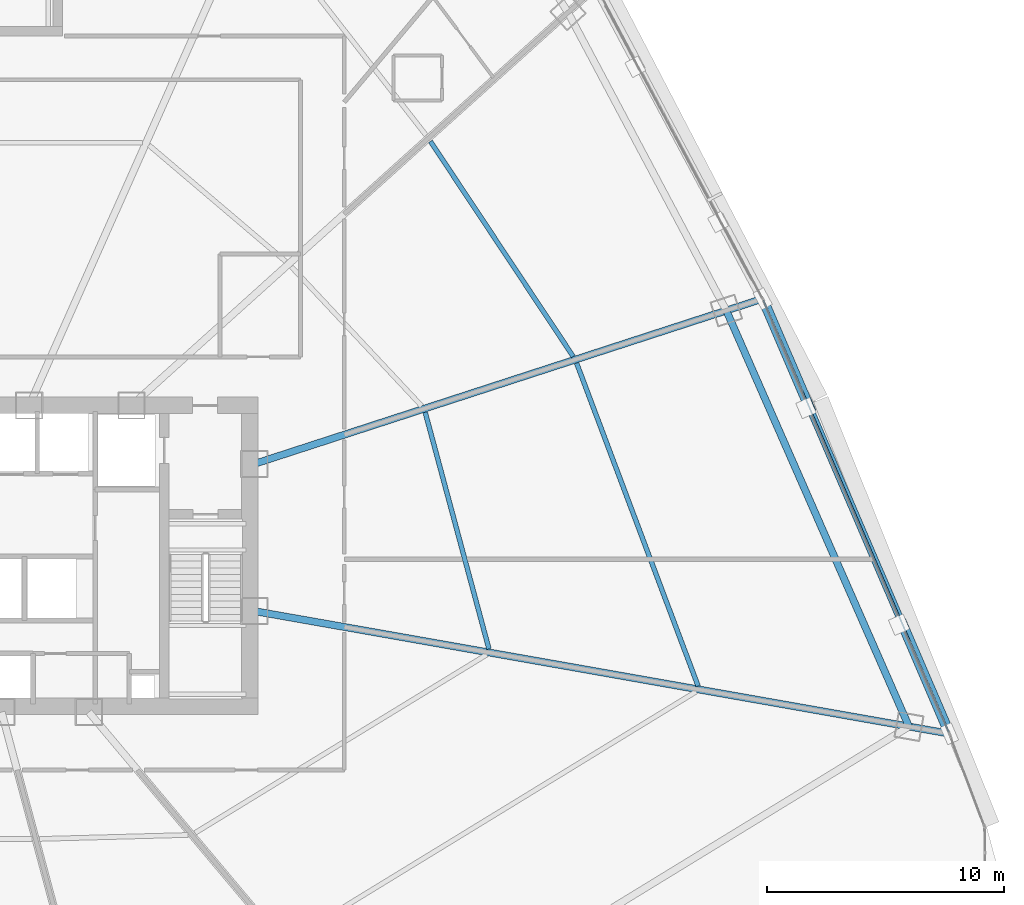
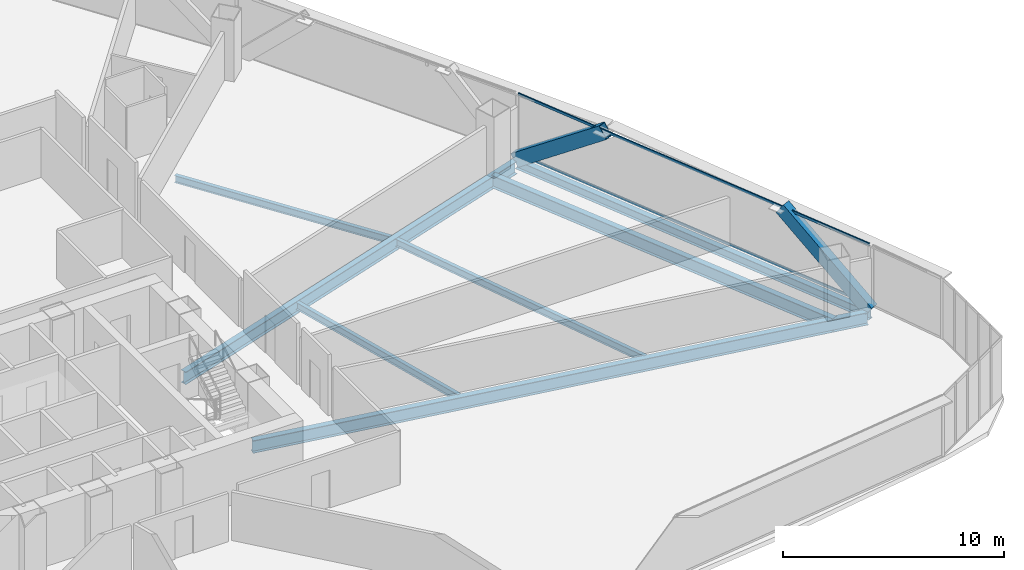
# One storey, part 24 of 42: 7 beams, 4 members, 1 element without a shape of its own.
"""IFC4 building model written with IfcOpenShell, lengths in metres."""

import ifcopenshell
import ifcopenshell.guid

model = None  # the IFC model being written
_history = None  # IfcOwnerHistory: only IFC2X3 demands one
_inside = {}  # id of a spatial element -> (the spatial element, [elements in it])
_under = {}  # id of a project, library or spatial element -> (it, [spatial elements below it])
_declared = {}  # id of a project -> (the project, [libraries it declares])
_typed = {}  # id of a type object -> (the type object, [elements of that type])
_made_of = {}  # id of a material, layer set ... -> (it, [elements and type objects made of it])


def new_model(schema):
    """Start an empty IFC model of exactly this schema.

    Asked for "IFC4X3", IfcOpenShell would pick the latest addendum, in which some entities
    have other attributes; the version numbers below select the first issue.
    IFC2X3 requires an IfcOwnerHistory on every rooted entity: one is made here for all.
    """
    global model, _history
    if schema == "IFC4X3":
        model = ifcopenshell.file(schema_version=(4, 3, 0, 0))
    else:
        model = ifcopenshell.file(schema=schema)
    _inside.clear()
    _under.clear()
    _declared.clear()
    _typed.clear()
    _made_of.clear()
    _history = None
    if model.schema == "IFC2X3":
        org = make("IfcOrganization", Name="unknown")
        user = make(
            "IfcPersonAndOrganization",
            ThePerson=make("IfcPerson", FamilyName="unknown"),
            TheOrganization=org,
        )
        app = make(
            "IfcApplication",
            ApplicationDeveloper=org,
            Version="unknown",
            ApplicationFullName="unknown",
            ApplicationIdentifier="unknown",
        )
        _history = make(
            "IfcOwnerHistory",
            OwningUser=user,
            OwningApplication=app,
            ChangeAction="ADDED",
            CreationDate=0,
        )
    return model


def make(cls, **values):
    """One entity of the class cls with the attributes given. An attribute that is None is left unset."""
    return model.create_entity(
        cls, **{name: value for name, value in values.items() if value is not None}
    )


def rooted(cls, **values):
    """An entity with a GlobalId (a new one), such as an element, a storey or a relation."""
    return make(cls, GlobalId=ifcopenshell.guid.new(), OwnerHistory=_history, **values)


def si_unit(unit_type, name, prefix=None):
    """IfcSIUnit, for example si_unit("LENGTHUNIT", "METRE", prefix="MILLI")."""
    return make("IfcSIUnit", UnitType=unit_type, Prefix=prefix, Name=name)


def assignment(units):
    """IfcUnitAssignment: the units of a project."""
    return None if units is None else make("IfcUnitAssignment", Units=units)


def point(xyz):
    """IfcCartesianPoint."""
    return None if xyz is None else make("IfcCartesianPoint", Coordinates=xyz)


def direction(xyz):
    """IfcDirection."""
    return None if xyz is None else make("IfcDirection", DirectionRatios=xyz)


def frame(location, z_axis=None, x_axis=None):
    """IfcAxis2Placement3D, a coordinate frame: its origin and axes. An axis left out is left unset."""
    return make(
        "IfcAxis2Placement3D",
        Location=point(location),
        Axis=direction(z_axis),
        RefDirection=direction(x_axis),
    )


def frame_2d(location, x_axis=None):
    """IfcAxis2Placement2D, a coordinate frame in the plane: its origin and x axis."""
    return make(
        "IfcAxis2Placement2D", Location=point(location), RefDirection=direction(x_axis)
    )


def origin():
    """The frame at (0, 0, 0) with its axes left unset."""
    return frame((0.0, 0.0, 0.0))


def origin_2d():
    """The frame at (0, 0) in the plane with its x axis left unset."""
    return frame_2d((0.0, 0.0))


def place(relative_to, where):
    """IfcLocalPlacement: puts the frame where relative to a parent placement (None: the world)."""
    return make(
        "IfcLocalPlacement", PlacementRelTo=relative_to, RelativePlacement=where
    )


def context(
    kind, dimensions, precision=None, world=None, true_north=None, identifier=None
):
    """IfcGeometricRepresentationContext, for example the 3D "Model" context."""
    return make(
        "IfcGeometricRepresentationContext",
        ContextIdentifier=identifier,
        ContextType=kind,
        CoordinateSpaceDimension=dimensions,
        Precision=precision,
        WorldCoordinateSystem=world,
        TrueNorth=true_north,
    )


def subcontext(parent, identifier, kind, view, scale=None):
    """IfcGeometricRepresentationSubContext, for example "Body" below "Model"."""
    return make(
        "IfcGeometricRepresentationSubContext",
        ContextIdentifier=identifier,
        ContextType=kind,
        ParentContext=parent,
        TargetScale=scale,
        TargetView=view,
    )


def project(units=None, contexts=None):
    """IfcProject with its units and contexts."""
    return rooted(
        "IfcProject",
        Name="project",
        RepresentationContexts=contexts,
        UnitsInContext=assignment(units),
    )


def spatial(cls, under=None, at=None, **own):
    """A site, building, storey or space (cls), placed at a placement, below another one or the project."""
    s = rooted(cls, ObjectPlacement=at, **own)
    if under is not None:
        _under.setdefault(under.id(), (under, []))[1].append(s)
    return s


def profile(cls, at=None, kind="AREA", **sizes):
    """A parametric profile (cls). Its sizes go by their IFC names, for example OverallWidth=200.0."""
    return make(cls, ProfileType=kind, Position=at, **sizes)


def hollow_rectangle(**sizes):
    """IfcRectangleHollowProfileDef."""
    return profile("IfcRectangleHollowProfileDef", **sizes)


def i_section(**sizes):
    """IfcIShapeProfileDef."""
    return profile("IfcIShapeProfileDef", **sizes)


def extrude(swept, where, along, depth):
    """IfcExtrudedAreaSolid: the profile swept, set in the frame where, extruded along a direction by depth."""
    return make(
        "IfcExtrudedAreaSolid",
        SweptArea=swept,
        Position=where,
        ExtrudedDirection=direction(along),
        Depth=depth,
    )


def shape(context_of_items, identifier, shape_type, items):
    """IfcShapeRepresentation: the items that make up one representation, for example the "Body"."""
    return make(
        "IfcShapeRepresentation",
        ContextOfItems=context_of_items,
        RepresentationIdentifier=identifier,
        RepresentationType=shape_type,
        Items=items,
    )


def source(mapping_origin, context_of_items, identifier, shape_type, items):
    """IfcRepresentationMap: a shape defined once, which mapped items show again and again."""
    return make(
        "IfcRepresentationMap",
        MappingOrigin=mapping_origin,
        MappedRepresentation=shape(context_of_items, identifier, shape_type, items),
    )


def transform(
    local_origin,
    x_axis=None,
    y_axis=None,
    z_axis=None,
    scale=None,
    scale2=None,
    scale3=None,
    uniform=True,
):
    """IfcCartesianTransformationOperator3D, or its non-uniform kind. x_axis, y_axis, z_axis: its Axis1, 2, 3."""
    if uniform:
        return make(
            "IfcCartesianTransformationOperator3D",
            Axis1=direction(x_axis),
            Axis2=direction(y_axis),
            LocalOrigin=point(local_origin),
            Scale=scale,
            Axis3=direction(z_axis),
        )
    return make(
        "IfcCartesianTransformationOperator3DnonUniform",
        Axis1=direction(x_axis),
        Axis2=direction(y_axis),
        LocalOrigin=point(local_origin),
        Scale=scale,
        Axis3=direction(z_axis),
        Scale2=scale2,
        Scale3=scale3,
    )


def mapped(mapping_source, mapping_target):
    """IfcMappedItem: shows the shape of a source again, moved by a transform."""
    return make(
        "IfcMappedItem", MappingSource=mapping_source, MappingTarget=mapping_target
    )


def material(Name=None, Category=None):
    """IfcMaterial."""
    return make("IfcMaterial", Name=Name, Category=Category)


def layer(
    of_material, thickness, ventilated=None, Name=None, Category=None, Priority=None
):
    """IfcMaterialLayer: one layer of a wall or slab, of a material (None: an air gap)."""
    return make(
        "IfcMaterialLayer",
        Material=of_material,
        LayerThickness=thickness,
        IsVentilated=ventilated,
        Name=Name,
        Category=Category,
        Priority=Priority,
    )


def layer_set(layers, Name=None):
    """IfcMaterialLayerSet."""
    return make("IfcMaterialLayerSet", MaterialLayers=layers, LayerSetName=Name)


def material_profile(
    of_material, cross_section, Name=None, Category=None, Priority=None
):
    """IfcMaterialProfile: a cross section and its material."""
    return make(
        "IfcMaterialProfile",
        Name=Name,
        Material=of_material,
        Profile=cross_section,
        Priority=Priority,
        Category=Category,
    )


def profile_set(profiles, Name=None, composite=None):
    """IfcMaterialProfileSet."""
    return make(
        "IfcMaterialProfileSet",
        Name=Name,
        MaterialProfiles=profiles,
        CompositeProfile=composite,
    )


def made_of(thing, what):
    """Note that an element or type object is made of a material, layer set ...; save() writes the relation."""
    if what is not None:
        _made_of.setdefault(what.id(), (what, []))[1].append(thing)
    return thing


def type_object(cls, material=None, **own):
    """A type object (cls), such as IfcWallType, which elements share."""
    return made_of(rooted(cls, **own), material)


def element(
    cls,
    number,
    at=None,
    inside=None,
    cuts=None,
    type_object=None,
    material=None,
    context=None,
    identifier="Body",
    shape_type=None,
    held_by="IfcProductDefinitionShape",
    body=None,
    shapes=None,
    **own,
):
    """One element of the class cls, such as IfcWall. Its Tag is "e" and its number.

    at: its placement. inside: the storey or other place that contains it. cuts: it is an
    opening in that element (IfcRelVoidsElement). A single representation is given by context,
    identifier, shape_type and body (its items); several are given by shapes. held_by: the class
    of the entity that holds the representations. save() writes the other relations.
    """
    e = rooted(cls, Tag="e%d" % number, ObjectPlacement=at, **own)
    if body is not None:
        shapes = [shape(context, identifier, shape_type, body)]
    if shapes is not None:
        e.Representation = make(held_by, Representations=shapes)
    if inside is not None:
        _inside.setdefault(inside.id(), (inside, []))[1].append(e)
    if cuts is not None:
        rooted(
            "IfcRelVoidsElement", RelatingBuildingElement=cuts, RelatedOpeningElement=e
        )
    if type_object is not None:
        _typed.setdefault(type_object.id(), (type_object, []))[1].append(e)
    return made_of(e, material)


def aggregate(whole, parts):
    """IfcRelAggregates: a whole, such as a stair, and the parts it consists of."""
    return rooted("IfcRelAggregates", RelatingObject=whole, RelatedObjects=parts)


def save(model, path):
    """Write the relations noted so far, then the file.

    IfcRelAggregates (storeys below a building ...), IfcRelContainedInSpatialStructure (elements
    in a storey), IfcRelDefinesByType, IfcRelAssociatesMaterial and IfcRelDeclares: one each for
    every whole, place, type object, material and project.
    """
    for whole, parts in _under.values():
        aggregate(whole, parts)
    for where, things in _inside.values():
        rooted(
            "IfcRelContainedInSpatialStructure",
            RelatedElements=things,
            RelatingStructure=where,
        )
    for kind, things in _typed.values():
        rooted("IfcRelDefinesByType", RelatedObjects=things, RelatingType=kind)
    for what, things in _made_of.values():
        rooted("IfcRelAssociatesMaterial", RelatedObjects=things, RelatingMaterial=what)
    for by, libraries in _declared.values():
        rooted("IfcRelDeclares", RelatingContext=by, RelatedDefinitions=libraries)
    model.write(path)


model = new_model("IFC4")

# Units and contexts
model_context = context("Model", 3, precision=1e-05, world=origin(), true_north=direction((0.0, 1.0)))
body_context = subcontext(model_context, "Body", "Model", "MODEL_VIEW")
ifc_project = project(units=[si_unit("LENGTHUNIT", "METRE"), si_unit("AREAUNIT", "SQUARE_METRE"), si_unit("VOLUMEUNIT", "CUBIC_METRE"), si_unit("PLANEANGLEUNIT", "RADIAN"), si_unit("MASSUNIT", "GRAM", prefix="KILO"), si_unit("THERMODYNAMICTEMPERATUREUNIT", "KELVIN"), si_unit("POWERUNIT", "WATT")], contexts=[model_context])

# Site, building, storey
site_placement = place(None, origin())
site = spatial("IfcSite", under=ifc_project, at=site_placement, CompositionType="ELEMENT")
building_placement = place(site_placement, origin())
building = spatial("IfcBuilding", under=site, at=building_placement, Name="Yunzhuo Pagoda Commons", CompositionType="ELEMENT")
storey_placement = place(building_placement, frame((0.0, 0.0, 48.550048828125)))
storey = spatial("IfcBuildingStorey", under=building, at=storey_placement, Name="L12", CompositionType="ELEMENT", Elevation=48.550048828125)

# Beams
ifc_material_1 = material(Name="Structural steel Q355B", Category="steel")
ifc_material_profile_1 = material_profile(ifc_material_1, i_section(OverallWidth=0.300048828125, OverallDepth=0.699951171875, WebThickness=0.012939453125, FlangeThickness=0.02392578125, at=origin_2d()), Name="Structural steel Q355B")
ifc_profile_set_1 = profile_set([ifc_material_profile_1], Name="Structural steel Q355B")
beam_type_1 = type_object("IfcBeamType", Name="B-RG1 Beam HN 700x300x13x24", PredefinedType="BEAM", material=ifc_profile_set_1)
shared_shape_1 = source(origin(), body_context, "Body", "SweptSolid", [
    extrude(i_section(OverallWidth=0.300048828125, OverallDepth=0.699951171875, WebThickness=0.012939453125, FlangeThickness=0.02392578125, at=origin_2d()), origin(), (0.0, 0.0, 1.0), 19.18603515625),
])
beam_1_placement = place(storey_placement, frame((88.047607421875, 26.638427734375, -0.610107421875), z_axis=(-0.40196534204, 0.915654882474, 0.0), x_axis=(-0.915654882474, -0.40196534204, 0.0)))
element("IfcBeam", 1, at=beam_1_placement, inside=storey, type_object=beam_type_1, Name="L12 column-ring beam 5", PredefinedType="BEAM", context=body_context, shape_type="MappedRepresentation", body=[
    mapped(shared_shape_1, transform((0.0, 0.0, 0.0), scale=1.0)),
])
ifc_material_profile_2 = material_profile(ifc_material_1, i_section(OverallWidth=0.199951171875, OverallDepth=0.39990234375, WebThickness=0.008056640625, FlangeThickness=0.012939453125, at=origin_2d()), Name="Structural steel Q355B")
ifc_profile_set_2 = profile_set([ifc_material_profile_2], Name="Structural steel Q355B")
beam_type_2 = type_object("IfcBeamType", Name="B-JS1 Joist HN 400x200x8x13", PredefinedType="JOIST", material=ifc_profile_set_2)
shared_shape_2 = source(origin(), body_context, "Body", "SweptSolid", [
    extrude(i_section(OverallWidth=0.199951171875, OverallDepth=0.39990234375, WebThickness=0.008056640625, FlangeThickness=0.012939453125, at=origin_2d()), origin(), (0.0, 0.0, 1.0), 10.351806640625),
])
beam_2_placement = place(storey_placement, frame((70.311767578125, 29.912109375, -0.4599609375), z_axis=(-0.260208595802, 0.965552425646, 0.0), x_axis=(-0.965552425646, -0.260208595802, 0.0)))
element("IfcBeam", 2, at=beam_2_placement, inside=storey, type_object=beam_type_2, Name="L12 composite ring joist 1.5", PredefinedType="JOIST", context=body_context, shape_type="MappedRepresentation", body=[
    mapped(shared_shape_2, transform((0.0, 0.0, 0.0), scale=1.0)),
])
shared_shape_3 = source(origin(), body_context, "Body", "SweptSolid", [
    extrude(i_section(OverallWidth=0.199951171875, OverallDepth=0.39990234375, WebThickness=0.008056640625, FlangeThickness=0.012939453125, at=origin_2d()), origin(), (0.0, 0.0, 1.0), 14.571044921875),
])
beam_3_placement = place(storey_placement, frame((79.144287109375, 28.347412109375, -0.4599609375), z_axis=(-0.352208383632, 0.935921607027, 0.0), x_axis=(-0.935921607027, -0.352208383632, 0.0)))
element("IfcBeam", 3, at=beam_3_placement, inside=storey, type_object=beam_type_2, Name="L12 composite ring joist 2.5", PredefinedType="JOIST", context=body_context, shape_type="MappedRepresentation", body=[
    mapped(shared_shape_3, transform((0.0, 0.0, 0.0), scale=1.0)),
])
shared_shape_4 = source(origin(), body_context, "Body", "SweptSolid", [
    extrude(i_section(OverallWidth=0.199951171875, OverallDepth=0.39990234375, WebThickness=0.008056640625, FlangeThickness=0.012939453125, at=origin_2d()), origin(), (0.0, 0.0, 1.0), 10.904052734375),
])
beam_4_placement = place(storey_placement, frame((73.8681640625, 42.26611328125, -0.4599609375), z_axis=(-0.552916349928, 0.833236767061, 0.0), x_axis=(-0.833236767061, -0.552916349928, 0.0)))
element("IfcBeam", 4, at=beam_4_placement, inside=storey, type_object=beam_type_2, Name="L12 composite ring joist 2.6", PredefinedType="JOIST", context=body_context, shape_type="MappedRepresentation", body=[
    mapped(shared_shape_4, transform((0.0, 0.0, 0.0), scale=1.0)),
])
shared_shape_5 = source(origin(), body_context, "Body", "SweptSolid", [
    extrude(i_section(OverallWidth=0.300048828125, OverallDepth=0.699951171875, WebThickness=0.012939453125, FlangeThickness=0.02392578125, at=origin_2d()), origin(), (0.0, 0.0, 1.0), 29.657470703125),
])
beam_5_placement = place(storey_placement, frame((89.60693359375, 26.363525390625, -0.610107421875), z_axis=(-0.984808244815, 0.173645388492, 0.0), x_axis=(-0.173645388492, -0.984808244815, 0.0)))
element("IfcBeam", 5, at=beam_5_placement, inside=storey, type_object=beam_type_1, Name="L12 radial floor girder F2C1", PredefinedType="BEAM", context=body_context, shape_type="MappedRepresentation", body=[
    mapped(shared_shape_5, transform((0.0, 0.0, 0.0), scale=1.0)),
])
shared_shape_6 = source(origin(), body_context, "Body", "SweptSolid", [
    extrude(i_section(OverallWidth=0.300048828125, OverallDepth=0.699951171875, WebThickness=0.012939453125, FlangeThickness=0.02392578125, at=origin_2d()), origin(), (0.0, 0.0, 1.0), 22.421875),
])
beam_6_placement = place(storey_placement, frame((81.724365234375, 44.65771484375, -0.610107421875), z_axis=(-0.951056871076, -0.309015902469, 0.0), x_axis=(0.309015902469, -0.951056871076, 0.0)))
element("IfcBeam", 6, at=beam_6_placement, inside=storey, type_object=beam_type_1, Name="L12 radial floor girder F2C2", PredefinedType="BEAM", context=body_context, shape_type="MappedRepresentation", body=[
    mapped(shared_shape_6, transform((0.0, 0.0, 0.0), scale=1.0)),
])
ifc_material_profile_3 = material_profile(ifc_material_1, i_section(OverallWidth=0.300048828125, OverallDepth=0.488037109375, WebThickness=0.010986328125, FlangeThickness=0.01806640625, at=origin_2d()), Name="Structural steel Q355B")
ifc_profile_set_3 = profile_set([ifc_material_profile_3], Name="Structural steel Q355B")
beam_type_3 = type_object("IfcBeamType", Name="B-SP1 Beam HM 488x300x11x18", PredefinedType="BEAM", material=ifc_profile_set_3)
shared_shape_7 = source(origin(), body_context, "Body", "SweptSolid", [
    extrude(i_section(OverallWidth=0.300048828125, OverallDepth=0.488037109375, WebThickness=0.010986328125, FlangeThickness=0.01806640625, at=origin_2d()), origin(), (0.0, 0.0, 1.0), 19.990966796875),
])
beam_7_placement = place(storey_placement, frame((89.759765625, 26.336669921875, -0.504150390625), z_axis=(-0.394586883205, 0.918858635266, 0.0), x_axis=(-0.918858635266, -0.394586883205, 0.0)))
element("IfcBeam", 7, at=beam_7_placement, inside=storey, type_object=beam_type_3, Name="L12 facade edge spandrel beam F2.1", PredefinedType="BEAM", context=body_context, shape_type="MappedRepresentation", body=[
    mapped(shared_shape_7, transform((0.0, 0.0, 0.0), scale=1.0)),
])

# Members
ifc_material_2 = material(Name="Structural steel Q420B", Category="steel")
ifc_material_profile_4 = material_profile(ifc_material_2, hollow_rectangle(XDim=0.419921875, YDim=0.719970703125, WallThickness=0.028076171875, at=origin_2d()), Name="Structural steel Q420B")
ifc_profile_set_4 = profile_set([ifc_material_profile_4], Name="Structural steel Q420B")
member_type_1 = type_object("IfcMemberType", Name="M-DL1 Brace BOX 720x420x28", PredefinedType="BRACE", material=ifc_profile_set_4)
shared_shape_8 = source(origin(), body_context, "Body", "SweptSolid", [
    extrude(hollow_rectangle(XDim=0.419921875, YDim=0.719970703125, WallThickness=0.028076171875, at=origin_2d()), origin(), (0.0, 0.0, 1.0), 6.1767578125),
])
member_1_placement = place(storey_placement, frame((81.87158203125, 44.70556640625, -0.260009765625), z_axis=(0.319243662081, -0.743465802123, 0.587658136415), x_axis=(0.918869392168, 0.394561833096, 0.0)))
element("IfcMember", 8, at=member_1_placement, inside=storey, type_object=member_type_1, Name="L12 facade diamond brace F2.1R", PredefinedType="BRACE", context=body_context, shape_type="MappedRepresentation", body=[
    mapped(shared_shape_8, transform((0.0, 0.0, 0.0), scale=1.0)),
])
shared_shape_9 = source(origin(), body_context, "Body", "SweptSolid", [
    extrude(hollow_rectangle(XDim=0.419921875, YDim=0.719970703125, WallThickness=0.028076171875, at=origin_2d()), origin(), (0.0, 0.0, 1.0), 6.177001953125),
])
member_2_placement = place(storey_placement, frame((89.759765625, 26.336669921875, -0.260009765625), z_axis=(-0.319279158185, 0.743456420583, 0.587650720958), x_axis=(-0.918851680961, -0.394603077023, 0.0)))
element("IfcMember", 9, at=member_2_placement, inside=storey, type_object=member_type_1, Name="L12 facade diamond brace F2.1L", PredefinedType="BRACE", context=body_context, shape_type="MappedRepresentation", body=[
    mapped(shared_shape_9, transform((0.0, 0.0, 0.0), scale=1.0)),
])

# Curtain wall, members
ifc_material_3 = material(Name="Anodized aluminium 6063-T6", Category="aluminium")
ifc_layer = layer(ifc_material_3, 0.1650390625)
ifc_layer_set = layer_set([ifc_layer], Name="Anodized aluminium 6063-T6")
curtain_wall_type = type_object("IfcCurtainWallType", Name="CW-LOW Low-Zone Ribbon Curtain Wall", PredefinedType="NOTDEFINED", material=ifc_layer_set)
curtain_wall_placement = place(storey_placement, origin())
curtain_wall = element("IfcCurtainWall", 10, at=curtain_wall_placement, inside=storey, type_object=curtain_wall_type, Name="L12 curtain wall CW-L12-F2B2", PredefinedType="NOTDEFINED")
ifc_material_profile_5 = material_profile(ifc_material_3, hollow_rectangle(XDim=0.06005859375, YDim=0.139892578125, WallThickness=0.00341796875, at=origin_2d()), Name="Anodized aluminium 6063-T6")
ifc_profile_set_5 = profile_set([ifc_material_profile_5], Name="Anodized aluminium 6063-T6")
member_type_2 = type_object("IfcMemberType", Name="CW-LOW-T Transom RHS 140x60x3.5", PredefinedType="USERDEFINED", material=ifc_profile_set_5)
shared_shape_10 = source(origin(), body_context, "Body", "SweptSolid", [
    extrude(hollow_rectangle(XDim=0.06005859375, YDim=0.139892578125, WallThickness=0.00341796875, at=origin_2d()), origin(), (0.0, 0.0, 1.0), 19.860595703125),
])
member_3_placement = place(storey_placement, frame((89.73388671875, 26.396484375, 0.030029296875), z_axis=(-0.39457049988, 0.918865670611, 0.0), x_axis=(-0.918865670611, -0.39457049988, 0.0)))
member_3 = element("IfcMember", 11, at=member_3_placement, type_object=member_type_2, Name="CW transom 1.1", ObjectType="TRANSOM", PredefinedType="USERDEFINED", context=body_context, shape_type="MappedRepresentation", body=[
    mapped(shared_shape_10, transform((0.0, 0.0, 0.0), scale=1.0)),
])
member_4_placement = place(storey_placement, frame((89.73388671875, 26.396484375, 3.33984375), z_axis=(-0.39457049988, 0.918865670611, 0.0), x_axis=(-0.918865670611, -0.39457049988, 0.0)))
member_4 = element("IfcMember", 12, at=member_4_placement, type_object=member_type_2, Name="CW transom 1.2", ObjectType="TRANSOM", PredefinedType="USERDEFINED", context=body_context, shape_type="MappedRepresentation", body=[
    mapped(shared_shape_10, transform((0.0, 0.0, 0.0), scale=1.0)),
])
aggregate(curtain_wall, [member_3, member_4])

save(model, "model.ifc")
